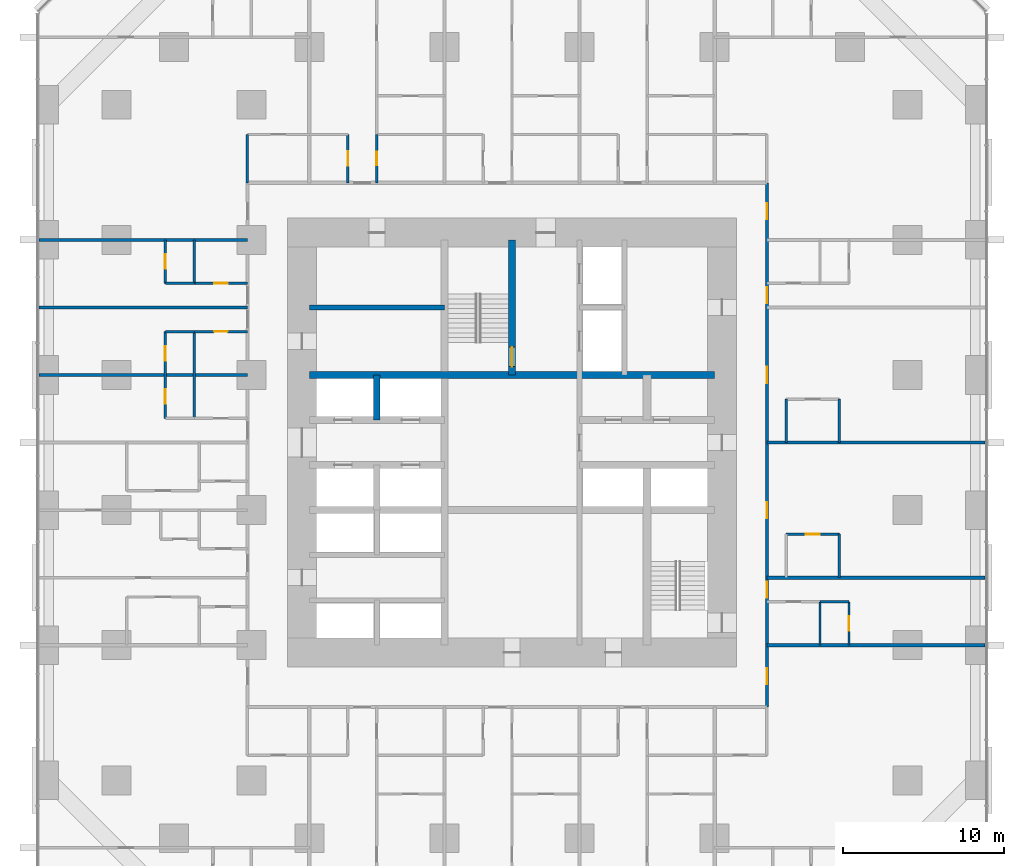
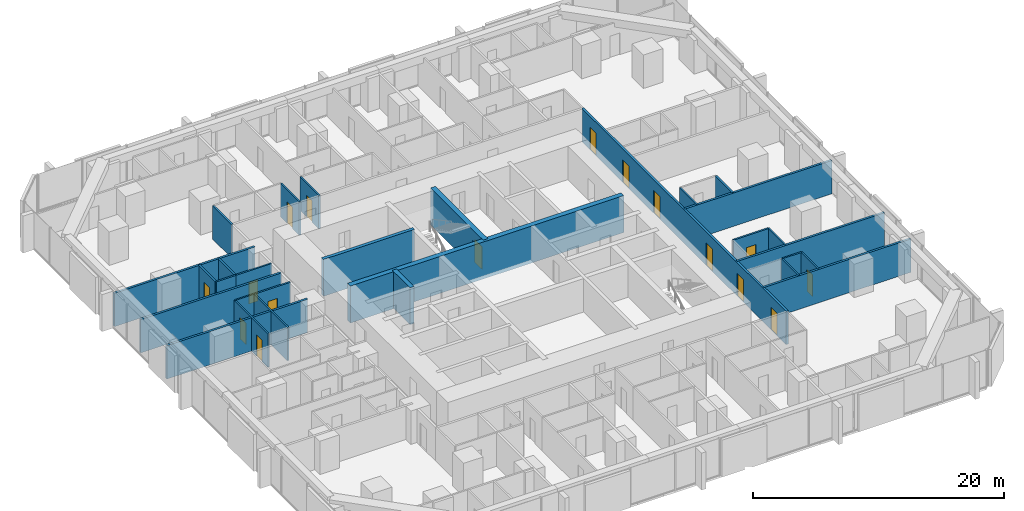
# One storey, part 14 of 17: 29 walls, 16 doors, 16 openings.
"""IFC4 building model written with IfcOpenShell, lengths in metres."""

from ifc_helpers import new_model, si_unit, direction, frame, frame_2d, origin, place, context, subcontext, project, spatial, rectangle, extrude, material, layer, layer_set, type_object, element, fill, save


model = new_model("IFC4")

# Units and contexts
model_context = context("Model", 3, precision=1e-05, world=origin(), true_north=direction((0.0, 1.0)))
body_context = subcontext(model_context, "Body", "Model", "MODEL_VIEW")
ifc_project = project(units=[si_unit("LENGTHUNIT", "METRE"), si_unit("AREAUNIT", "SQUARE_METRE"), si_unit("VOLUMEUNIT", "CUBIC_METRE"), si_unit("PLANEANGLEUNIT", "RADIAN"), si_unit("MASSUNIT", "GRAM", prefix="KILO")], contexts=[model_context])

# Site, building, storey
site_placement = place(None, origin())
site = spatial("IfcSite", under=ifc_project, at=site_placement, CompositionType="ELEMENT")
building_placement = place(site_placement, origin())
building = spatial("IfcBuilding", under=site, at=building_placement, Name="Dunama Terrace Hotel", CompositionType="ELEMENT")
storey_placement = place(building_placement, frame((0.0, 0.0, 48.60009765625)))
storey = spatial("IfcBuildingStorey", under=building, at=storey_placement, Name="L11", CompositionType="ELEMENT", Elevation=48.60009765625)

# Wall
ifc_material_1 = material(Name="Gypsum board partition", Category="masonry")
ifc_layer_1 = layer(ifc_material_1, 0.14990234375)
ifc_layer_set_1 = layer_set([ifc_layer_1], Name="Bathroom partition 150")
wall_type_1 = type_object("IfcWallType", Name="Bathroom partition 150", PredefinedType="PARTITIONING", material=ifc_layer_set_1)
wall_1_placement = place(storey_placement, frame((12.949951171875, 45.550048828125, 0.0), z_axis=(0.0, 0.0, 1.0), x_axis=(0.0, 1.0, 0.0)))
element("IfcWall", 1, at=wall_1_placement, inside=storey, type_object=wall_type_1, Name="Bathroom partition 150 L11", PredefinedType="PARTITIONING", context=body_context, shape_type="SweptSolid", body=[
    extrude(rectangle(XDim=3.0, YDim=0.14990234375, at=frame_2d((1.5, 0.0))), origin(), (0.0, 0.0, 1.0), 3.25),
])

# Wall, opening, door
wall_2_placement = place(storey_placement, frame((21.0, 45.550048828125, 0.0), z_axis=(0.0, 0.0, 1.0), x_axis=(0.0, 1.0, 0.0)))
wall_2 = element("IfcWall", 2, at=wall_2_placement, inside=storey, type_object=wall_type_1, Name="Bathroom partition 150 L11", PredefinedType="PARTITIONING", context=body_context, shape_type="SweptSolid", body=[
    extrude(rectangle(XDim=3.0, YDim=0.14990234375, at=frame_2d((1.5, 0.0))), origin(), (0.0, 0.0, 1.0), 3.25),
])
opening_1_placement = place(wall_2_placement, frame((1.074951171875, 0.0, 0.0)))
opening_1 = element("IfcOpeningElement", 3, at=opening_1_placement, cuts=wall_2, Name="Opening L10-11-036", PredefinedType="OPENING", context=body_context, shape_type="SweptSolid", body=[
    extrude(rectangle(XDim=0.85009765625, YDim=2.10009765625, at=frame_2d((0.425048828125, 1.050048828125))), frame((0.0, 0.0849609375, 0.0), z_axis=(0.0, -1.0, 0.0), x_axis=(1.0, 0.0, 0.0)), (0.0, 0.0, 1.0), 0.169921875),
])
ifc_material_2 = material(Name="Timber door with steel frame", Category="steel")
door_type_1 = type_object("IfcDoorType", Name="Bathroom door 850", OperationType="SINGLE_SWING_LEFT", PredefinedType="DOOR", material=ifc_material_2)
door_1_placement = place(opening_1_placement, frame((0.85009765625, 0.0, 0.0), z_axis=(0.0, 0.0, 1.0), x_axis=(-1.0, 0.0, 0.0)))
door_1 = element("IfcDoor", 4, at=door_1_placement, inside=storey, type_object=door_type_1, Name="Door to residence bathroom L10-11-036, type D2", OperationType="SINGLE_SWING_RIGHT", OverallHeight=2.10009765625, OverallWidth=0.85009765625, PredefinedType="DOOR", context=body_context, shape_type="SweptSolid", body=[
    extrude(rectangle(XDim=0.85009765625, YDim=2.10009765625, at=frame_2d((0.425048828125, 1.050048828125))), frame((0.0, 0.025146484375, 0.0), z_axis=(0.0, -1.0, 0.0), x_axis=(1.0, 0.0, 0.0)), (0.0, 0.0, 1.0), 0.050048828125),
])
fill(opening_1, door_1)

# Walls
wall_3_placement = place(storey_placement, frame((46.449951171875, 29.39990234375, 0.0), z_axis=(0.0, 0.0, 1.0), x_axis=(0.0, 1.0, 0.0)))
element("IfcWall", 5, at=wall_3_placement, inside=storey, type_object=wall_type_1, Name="Bathroom partition 150 L11", PredefinedType="PARTITIONING", context=body_context, shape_type="SweptSolid", body=[
    extrude(rectangle(XDim=2.7001953125, YDim=0.14990234375, at=frame_2d((1.35009765625, 0.0))), origin(), (0.0, 0.0, 1.0), 3.25),
])
wall_4_placement = place(storey_placement, frame((49.75, 21.0, 0.0), z_axis=(0.0, 0.0, 1.0), x_axis=(0.0, 1.0, 0.0)))
element("IfcWall", 6, at=wall_4_placement, inside=storey, type_object=wall_type_1, Name="Bathroom partition 150 L11", PredefinedType="PARTITIONING", context=body_context, shape_type="SweptSolid", body=[
    extrude(rectangle(XDim=2.699951171875, YDim=0.14990234375, at=frame_2d((1.35009765625, 0.0))), origin(), (0.0, 0.0, 1.0), 3.25),
])
wall_5_placement = place(storey_placement, frame((49.75, 29.39990234375, 0.0), z_axis=(0.0, 0.0, 1.0), x_axis=(0.0, 1.0, 0.0)))
element("IfcWall", 7, at=wall_5_placement, inside=storey, type_object=wall_type_1, Name="Bathroom partition 150 L11", PredefinedType="PARTITIONING", context=body_context, shape_type="SweptSolid", body=[
    extrude(rectangle(XDim=2.7001953125, YDim=0.14990234375, at=frame_2d((1.35009765625, 0.0))), origin(), (0.0, 0.0, 1.0), 3.25),
])

# Wall, opening, door
wall_6_placement = place(storey_placement, frame((46.449951171875, 23.699951171875, 0.0), z_axis=(0.0, 0.0, 1.0), x_axis=(1.0, 0.0, 0.0)))
wall_6 = element("IfcWall", 8, at=wall_6_placement, inside=storey, type_object=wall_type_1, Name="Bathroom partition 150 L11", PredefinedType="PARTITIONING", context=body_context, shape_type="SweptSolid", body=[
    extrude(rectangle(XDim=3.300048828125, YDim=0.14990234375, at=frame_2d((1.64990234375, 0.0))), origin(), (0.0, 0.0, 1.0), 3.25),
])
opening_2_placement = place(wall_6_placement, frame((1.22509765625, 0.0, 0.0)))
opening_2 = element("IfcOpeningElement", 9, at=opening_2_placement, cuts=wall_6, Name="Opening L10-11-028", PredefinedType="OPENING", context=body_context, shape_type="SweptSolid", body=[
    extrude(rectangle(XDim=0.85009765625, YDim=2.10009765625, at=frame_2d((0.425048828125, 1.050048828125))), frame((0.0, 0.0849609375, 0.0), z_axis=(0.0, -1.0, 0.0), x_axis=(1.0, 0.0, 0.0)), (0.0, 0.0, 1.0), 0.169921875),
])
door_2_placement = place(opening_2_placement, frame((0.85009765625, 0.0, 0.0), z_axis=(0.0, 0.0, 1.0), x_axis=(-1.0, 0.0, 0.0)))
door_2 = element("IfcDoor", 10, at=door_2_placement, inside=storey, type_object=door_type_1, Name="Door to en-suite bathroom L10-11-028, type D2", OperationType="SINGLE_SWING_LEFT", OverallHeight=2.10009765625, OverallWidth=0.85009765625, PredefinedType="DOOR", context=body_context, shape_type="SweptSolid", body=[
    extrude(rectangle(XDim=0.85009765625, YDim=2.10009765625, at=frame_2d((0.425048828125, 1.050048828125))), frame((0.0, 0.025146484375, 0.0), z_axis=(0.0, -1.0, 0.0), x_axis=(1.0, 0.0, 0.0)), (0.0, 0.0, 1.0), 0.050048828125),
])
fill(opening_2, door_2)

wall_7_placement = place(storey_placement, frame((9.64990234375, 36.300048828125, 0.0), z_axis=(0.0, 0.0, 1.0), x_axis=(1.0, 0.0, 0.0)))
wall_7 = element("IfcWall", 11, at=wall_7_placement, inside=storey, type_object=wall_type_1, Name="Bathroom partition 150 L11", PredefinedType="PARTITIONING", context=body_context, shape_type="SweptSolid", body=[
    extrude(rectangle(XDim=3.300048828125, YDim=0.14990234375, at=frame_2d((1.64990234375, 0.0))), origin(), (0.0, 0.0, 1.0), 3.25),
])
opening_3_placement = place(wall_7_placement, frame((1.22509765625, 0.0, 0.0)))
opening_3 = element("IfcOpeningElement", 12, at=opening_3_placement, cuts=wall_7, Name="Opening L10-11-062", PredefinedType="OPENING", context=body_context, shape_type="SweptSolid", body=[
    extrude(rectangle(XDim=0.85009765625, YDim=2.10009765625, at=frame_2d((0.425048828125, 1.050048828125))), frame((0.0, 0.0849609375, 0.0), z_axis=(0.0, -1.0, 0.0), x_axis=(1.0, 0.0, 0.0)), (0.0, 0.0, 1.0), 0.169921875),
])
door_3_placement = place(opening_3_placement, frame((0.85009765625, 0.0, 0.0), z_axis=(0.0, 0.0, 1.0), x_axis=(-1.0, 0.0, 0.0)))
door_3 = element("IfcDoor", 13, at=door_3_placement, inside=storey, type_object=door_type_1, Name="Door to en-suite bathroom L10-11-062, type D2", OperationType="SINGLE_SWING_LEFT", OverallHeight=2.10009765625, OverallWidth=0.85009765625, PredefinedType="DOOR", context=body_context, shape_type="SweptSolid", body=[
    extrude(rectangle(XDim=0.85009765625, YDim=2.10009765625, at=frame_2d((0.425048828125, 1.050048828125))), frame((0.0, 0.025146484375, 0.0), z_axis=(0.0, -1.0, 0.0), x_axis=(1.0, 0.0, 0.0)), (0.0, 0.0, 1.0), 0.050048828125),
])
fill(opening_3, door_3)

wall_8_placement = place(storey_placement, frame((9.64990234375, 39.300048828125, 0.0), z_axis=(0.0, 0.0, 1.0), x_axis=(1.0, 0.0, 0.0)))
wall_8 = element("IfcWall", 14, at=wall_8_placement, inside=storey, type_object=wall_type_1, Name="Bathroom partition 150 L11", PredefinedType="PARTITIONING", context=body_context, shape_type="SweptSolid", body=[
    extrude(rectangle(XDim=3.300048828125, YDim=0.14990234375, at=frame_2d((1.64990234375, 0.0))), origin(), (0.0, 0.0, 1.0), 3.25),
])
opening_4_placement = place(wall_8_placement, frame((1.22509765625, 0.0, 0.0)))
opening_4 = element("IfcOpeningElement", 15, at=opening_4_placement, cuts=wall_8, Name="Opening L10-11-065", PredefinedType="OPENING", context=body_context, shape_type="SweptSolid", body=[
    extrude(rectangle(XDim=0.85009765625, YDim=2.10009765625, at=frame_2d((0.425048828125, 1.050048828125))), frame((0.0, 0.0849609375, 0.0), z_axis=(0.0, -1.0, 0.0), x_axis=(1.0, 0.0, 0.0)), (0.0, 0.0, 1.0), 0.169921875),
])
door_4_placement = place(opening_4_placement, origin())
door_4 = element("IfcDoor", 16, at=door_4_placement, inside=storey, type_object=door_type_1, Name="Door to en-suite bathroom L10-11-065, type D2", OperationType="SINGLE_SWING_RIGHT", OverallHeight=2.10009765625, OverallWidth=0.85009765625, PredefinedType="DOOR", context=body_context, shape_type="SweptSolid", body=[
    extrude(rectangle(XDim=0.85009765625, YDim=2.10009765625, at=frame_2d((0.425048828125, 1.050048828125))), frame((0.0, 0.02490234375, 0.0), z_axis=(0.0, -1.0, 0.0), x_axis=(1.0, 0.0, 0.0)), (0.0, 0.0, 1.0), 0.050048828125),
])
fill(opening_4, door_4)

# Walls
ifc_material_3 = material(Name="Concrete C50/60", Category="concrete")
ifc_layer_2 = layer(ifc_material_3, 0.300048828125)
ifc_layer_set_2 = layer_set([ifc_layer_2], Name="Core inner wall 300")
wall_type_2 = type_object("IfcWallType", Name="Core inner wall 300", PredefinedType="SHEAR", material=ifc_layer_set_2)
wall_9_placement = place(storey_placement, frame((16.800048828125, 37.800048828125, -0.35009765625), z_axis=(0.0, 0.0, 1.0), x_axis=(1.0, 0.0, 0.0)))
element("IfcWall", 17, at=wall_9_placement, inside=storey, type_object=wall_type_2, Name="Core inner wall 300 L11", PredefinedType="SHEAR", context=body_context, shape_type="SweptSolid", body=[
    extrude(rectangle(XDim=8.39990234375, YDim=0.300048828125, at=frame_2d((4.199951171875, 0.0))), origin(), (0.0, 0.0, 1.0), 3.60009765625),
])
ifc_material_4 = material(Name="Concrete C50/60", Category="concrete")
ifc_layer_3 = layer(ifc_material_4, 0.39990234375)
ifc_layer_set_3 = layer_set([ifc_layer_3], Name="Core inner wall 400")
wall_type_3 = type_object("IfcWallType", Name="Core inner wall 400", PredefinedType="SHEAR", material=ifc_layer_set_3)
wall_10_placement = place(storey_placement, frame((21.0, 30.800048828125, -0.35009765625), z_axis=(0.0, 0.0, 1.0), x_axis=(0.0, 1.0, 0.0)))
element("IfcWall", 18, at=wall_10_placement, inside=storey, type_object=wall_type_3, Name="Core inner wall 400 L11", PredefinedType="SHEAR", context=body_context, shape_type="SweptSolid", body=[
    extrude(rectangle(XDim=2.800048828125, YDim=0.39990234375, at=frame_2d((1.39990234375, 0.0))), origin(), (0.0, 0.0, 1.0), 3.60009765625),
])

# Wall, opening, door
ifc_material_5 = material(Name="Concrete C50/60", Category="concrete")
ifc_layer_4 = layer(ifc_material_5, 0.449951171875)
ifc_layer_set_4 = layer_set([ifc_layer_4], Name="Core inner wall 450")
wall_type_4 = type_object("IfcWallType", Name="Core inner wall 450", PredefinedType="SHEAR", material=ifc_layer_set_4)
wall_11_placement = place(storey_placement, frame((29.39990234375, 33.60009765625, -0.35009765625), z_axis=(0.0, 0.0, 1.0), x_axis=(0.0, 1.0, 0.0)))
wall_11 = element("IfcWall", 19, at=wall_11_placement, inside=storey, type_object=wall_type_4, Name="Core inner wall 450 L11", PredefinedType="SHEAR", context=body_context, shape_type="SweptSolid", body=[
    extrude(rectangle(XDim=8.39990234375, YDim=0.449951171875, at=frame_2d((4.199951171875, 0.0))), origin(), (0.0, 0.0, 1.0), 3.60009765625),
])
opening_5_placement = place(wall_11_placement, frame((0.52490234375, 0.0, 0.35009765625)))
opening_5 = element("IfcOpeningElement", 20, at=opening_5_placement, cuts=wall_11, Name="Opening L10-11-001", PredefinedType="OPENING", context=body_context, shape_type="SweptSolid", body=[
    extrude(rectangle(XDim=1.199951171875, YDim=2.199951171875, at=frame_2d((0.60009765625, 1.10009765625))), frame((0.0, 0.23486328125, 0.0), z_axis=(0.0, -1.0, 0.0), x_axis=(1.0, 0.0, 0.0)), (0.0, 0.0, 1.0), 0.469970703125),
])
ifc_material_6 = material(Name="Timber door with steel frame", Category="steel")
door_type_2 = type_object("IfcDoorType", Name="Stair door 1200", OperationType="SINGLE_SWING_LEFT", PredefinedType="DOOR", material=ifc_material_6)
door_5_placement = place(opening_5_placement, origin())
door_5 = element("IfcDoor", 21, at=door_5_placement, inside=storey, type_object=door_type_2, Name="Stair door ST1 L10-11-001, type D5", OperationType="SINGLE_SWING_LEFT", OverallHeight=2.199951171875, OverallWidth=1.199951171875, PredefinedType="DOOR", context=body_context, shape_type="SweptSolid", body=[
    extrude(rectangle(XDim=1.199951171875, YDim=2.199951171875, at=frame_2d((0.60009765625, 1.10009765625))), frame((0.0, 0.02490234375, 0.0), z_axis=(0.0, -1.0, 0.0), x_axis=(1.0, 0.0, 0.0)), (0.0, 0.0, 1.0), 0.050048828125),
])
fill(opening_5, door_5)

# Wall
wall_12_placement = place(storey_placement, frame((16.800048828125, 33.60009765625, -0.35009765625), z_axis=(0.0, 0.0, 1.0), x_axis=(1.0, 0.0, 0.0)))
element("IfcWall", 22, at=wall_12_placement, inside=storey, type_object=wall_type_4, Name="Core inner wall 450 L11", PredefinedType="SHEAR", context=body_context, shape_type="SweptSolid", body=[
    extrude(rectangle(XDim=25.199951171875, YDim=0.449951171875, at=frame_2d((12.60009765625, 0.0))), origin(), (0.0, 0.0, 1.0), 3.60009765625),
])

# Wall, openings, doors
ifc_material_7 = material(Name="Concrete blockwork", Category="masonry")
ifc_layer_5 = layer(ifc_material_7, 0.199951171875)
ifc_layer_set_5 = layer_set([ifc_layer_5], Name="Corridor partition 200")
wall_type_5 = type_object("IfcWallType", Name="Corridor partition 200", PredefinedType="PARTITIONING", material=ifc_layer_set_5)
wall_13_placement = place(storey_placement, frame((45.25, 45.550048828125, 0.0), z_axis=(0.0, 0.0, 1.0), x_axis=(0.0, -1.0, 0.0)))
wall_13 = element("IfcWall", 23, at=wall_13_placement, inside=storey, type_object=wall_type_5, Name="Corridor partition 200 L11", PredefinedType="PARTITIONING", context=body_context, shape_type="SweptSolid", body=[
    extrude(rectangle(XDim=32.60009765625, YDim=0.199951171875, at=frame_2d((16.300048828125, 0.0))), origin(), (0.0, 0.0, 1.0), 3.25),
])
opening_6_placement = place(wall_13_placement, frame((24.800048828125, 0.0, 0.0)))
opening_6 = element("IfcOpeningElement", 24, at=opening_6_placement, cuts=wall_13, Name="Opening L10-11-024", PredefinedType="OPENING", context=body_context, shape_type="SweptSolid", body=[
    extrude(rectangle(XDim=1.0, YDim=2.199951171875, at=frame_2d((0.5, 1.10009765625))), frame((0.0, 0.10986328125, 0.0), z_axis=(0.0, -1.0, 0.0), x_axis=(1.0, 0.0, 0.0)), (0.0, 0.0, 1.0), 0.219970703125),
])
opening_7_placement = place(wall_13_placement, frame((19.85009765625, 0.0, 0.0)))
opening_7 = element("IfcOpeningElement", 25, at=opening_7_placement, cuts=wall_13, Name="Opening L10-11-027", PredefinedType="OPENING", context=body_context, shape_type="SweptSolid", body=[
    extrude(rectangle(XDim=1.0, YDim=2.199951171875, at=frame_2d((0.5, 1.10009765625))), frame((0.0, 0.10986328125, 0.0), z_axis=(0.0, -1.0, 0.0), x_axis=(1.0, 0.0, 0.0)), (0.0, 0.0, 1.0), 0.219970703125),
])
opening_8_placement = place(wall_13_placement, frame((11.449951171875, 0.0, 0.0)))
opening_8 = element("IfcOpeningElement", 26, at=opening_8_placement, cuts=wall_13, Name="Opening L10-11-029", PredefinedType="OPENING", context=body_context, shape_type="SweptSolid", body=[
    extrude(rectangle(XDim=1.0, YDim=2.199951171875, at=frame_2d((0.5, 1.10009765625))), frame((0.0, 0.10986328125, 0.0), z_axis=(0.0, -1.0, 0.0), x_axis=(1.0, 0.0, 0.0)), (0.0, 0.0, 1.0), 0.219970703125),
])
opening_9_placement = place(wall_13_placement, frame((6.5, 0.0, 0.0)))
opening_9 = element("IfcOpeningElement", 27, at=opening_9_placement, cuts=wall_13, Name="Opening L10-11-031", PredefinedType="OPENING", context=body_context, shape_type="SweptSolid", body=[
    extrude(rectangle(XDim=1.0, YDim=2.199951171875, at=frame_2d((0.5, 1.10009765625))), frame((0.0, 0.10986328125, 0.0), z_axis=(0.0, -1.0, 0.0), x_axis=(1.0, 0.0, 0.0)), (0.0, 0.0, 1.0), 0.219970703125),
])
opening_10_placement = place(wall_13_placement, frame((30.175048828125, 0.0, 0.0)))
opening_10 = element("IfcOpeningElement", 28, at=opening_10_placement, cuts=wall_13, Name="Opening L10-11-072", PredefinedType="OPENING", context=body_context, shape_type="SweptSolid", body=[
    extrude(rectangle(XDim=1.0, YDim=2.199951171875, at=frame_2d((0.5, 1.10009765625))), frame((0.0, 0.10986328125, 0.0), z_axis=(0.0, -1.0, 0.0), x_axis=(1.0, 0.0, 0.0)), (0.0, 0.0, 1.0), 0.219970703125),
])
opening_11_placement = place(wall_13_placement, frame((1.27490234375, 0.0, 0.0)))
opening_11 = element("IfcOpeningElement", 29, at=opening_11_placement, cuts=wall_13, Name="Opening L10-11-077", PredefinedType="OPENING", context=body_context, shape_type="SweptSolid", body=[
    extrude(rectangle(XDim=1.0, YDim=2.199951171875, at=frame_2d((0.5, 1.10009765625))), frame((0.0, 0.10986328125, 0.0), z_axis=(0.0, -1.0, 0.0), x_axis=(1.0, 0.0, 0.0)), (0.0, 0.0, 1.0), 0.219970703125),
])
ifc_material_8 = material(Name="Timber door with steel frame", Category="steel")
door_type_3 = type_object("IfcDoorType", Name="Guest room door 1000", OperationType="SINGLE_SWING_LEFT", PredefinedType="DOOR", material=ifc_material_8)
door_6_placement = place(opening_6_placement, origin())
door_6 = element("IfcDoor", 30, at=door_6_placement, inside=storey, type_object=door_type_3, Name="Door to deluxe room L10-11-024, type D1", OperationType="SINGLE_SWING_LEFT", OverallHeight=2.199951171875, OverallWidth=1.0, PredefinedType="DOOR", context=body_context, shape_type="SweptSolid", body=[
    extrude(rectangle(XDim=1.0, YDim=2.199951171875, at=frame_2d((0.5, 1.10009765625))), frame((0.0, 0.02490234375, 0.0), z_axis=(0.0, -1.0, 0.0), x_axis=(1.0, 0.0, 0.0)), (0.0, 0.0, 1.0), 0.050048828125),
])
fill(opening_6, door_6)
door_7_placement = place(opening_7_placement, origin())
door_7 = element("IfcDoor", 31, at=door_7_placement, inside=storey, type_object=door_type_3, Name="Door to junior suite L10-11-027, type D1", OperationType="SINGLE_SWING_RIGHT", OverallHeight=2.199951171875, OverallWidth=1.0, PredefinedType="DOOR", context=body_context, shape_type="SweptSolid", body=[
    extrude(rectangle(XDim=1.0, YDim=2.199951171875, at=frame_2d((0.5, 1.10009765625))), frame((0.0, 0.02490234375, 0.0), z_axis=(0.0, -1.0, 0.0), x_axis=(1.0, 0.0, 0.0)), (0.0, 0.0, 1.0), 0.050048828125),
])
fill(opening_7, door_7)
door_8_placement = place(opening_8_placement, origin())
door_8 = element("IfcDoor", 32, at=door_8_placement, inside=storey, type_object=door_type_3, Name="Door to junior suite L10-11-029, type D1", OperationType="SINGLE_SWING_RIGHT", OverallHeight=2.199951171875, OverallWidth=1.0, PredefinedType="DOOR", context=body_context, shape_type="SweptSolid", body=[
    extrude(rectangle(XDim=1.0, YDim=2.199951171875, at=frame_2d((0.5, 1.10009765625))), frame((0.0, 0.02490234375, 0.0), z_axis=(0.0, -1.0, 0.0), x_axis=(1.0, 0.0, 0.0)), (0.0, 0.0, 1.0), 0.050048828125),
])
fill(opening_8, door_8)
door_9_placement = place(opening_9_placement, origin())
door_9 = element("IfcDoor", 33, at=door_9_placement, inside=storey, type_object=door_type_3, Name="Door to deluxe room L10-11-031, type D1", OperationType="SINGLE_SWING_RIGHT", OverallHeight=2.199951171875, OverallWidth=1.0, PredefinedType="DOOR", context=body_context, shape_type="SweptSolid", body=[
    extrude(rectangle(XDim=1.0, YDim=2.199951171875, at=frame_2d((0.5, 1.10009765625))), frame((0.0, 0.02490234375, 0.0), z_axis=(0.0, -1.0, 0.0), x_axis=(1.0, 0.0, 0.0)), (0.0, 0.0, 1.0), 0.050048828125),
])
fill(opening_9, door_9)
door_10_placement = place(opening_10_placement, origin())
door_10 = element("IfcDoor", 34, at=door_10_placement, inside=storey, type_object=door_type_3, Name="Door to corner suite living room L10-11-072, type D1", OperationType="SINGLE_SWING_RIGHT", OverallHeight=2.199951171875, OverallWidth=1.0, PredefinedType="DOOR", context=body_context, shape_type="SweptSolid", body=[
    extrude(rectangle(XDim=1.0, YDim=2.199951171875, at=frame_2d((0.5, 1.10009765625))), frame((0.0, 0.02490234375, 0.0), z_axis=(0.0, -1.0, 0.0), x_axis=(1.0, 0.0, 0.0)), (0.0, 0.0, 1.0), 0.050048828125),
])
fill(opening_10, door_10)
door_11_placement = place(opening_11_placement, origin())
door_11 = element("IfcDoor", 35, at=door_11_placement, inside=storey, type_object=door_type_3, Name="Door to corner suite living room L10-11-077, type D1", OperationType="SINGLE_SWING_LEFT", OverallHeight=2.199951171875, OverallWidth=1.0, PredefinedType="DOOR", context=body_context, shape_type="SweptSolid", body=[
    extrude(rectangle(XDim=1.0, YDim=2.199951171875, at=frame_2d((0.5, 1.10009765625))), frame((0.0, 0.02490234375, 0.0), z_axis=(0.0, -1.0, 0.0), x_axis=(1.0, 0.0, 0.0)), (0.0, 0.0, 1.0), 0.050048828125),
])
fill(opening_11, door_11)

# Walls
ifc_material_9 = material(Name="Concrete blockwork", Category="masonry")
ifc_layer_6 = layer(ifc_material_9, 0.199951171875)
ifc_layer_set_6 = layer_set([ifc_layer_6], Name="Party wall 200")
wall_type_6 = type_object("IfcWallType", Name="Party wall 200", PredefinedType="PARTITIONING", material=ifc_layer_set_6)
for number, where, z_axis, x_axis, name in (
    (36, (45.25, 16.800048828125, 0.0), (0.0, 0.0, 1.0), (1.0, 0.0, 0.0), "Party wall 200 L11"),
    (37, (45.25, 21.0, 0.0), (0.0, 0.0, 1.0), (1.0, 0.0, 0.0), "Party wall 200 L11"),
    (38, (45.25, 29.39990234375, 0.0), (0.0, 0.0, 1.0), (1.0, 0.0, 0.0), "Party wall 200 L11"),
):
    element("IfcWall", number, at=place(storey_placement, frame(where, z_axis=z_axis, x_axis=x_axis)), inside=storey, type_object=wall_type_6, Name=name, PredefinedType="PARTITIONING", context=body_context, shape_type="SweptSolid", body=[
        extrude(rectangle(XDim=13.55810546875, YDim=0.199951171875, at=frame_2d((6.779052734375, 0.0))), origin(), (0.0, 0.0, 1.0), 3.25),
    ])
for number, where, z_axis, x_axis, name in (
    (39, (-0.008056640625, 33.60009765625, 0.0), (0.0, 0.0, 1.0), (1.0, 0.0, 0.0), "Party wall 200 L11"),
    (40, (-0.008056640625, 37.800048828125, 0.0), (0.0, 0.0, 1.0), (1.0, 0.0, 0.0), "Party wall 200 L11"),
    (41, (-0.008056640625, 42.0, 0.0), (0.0, 0.0, 1.0), (1.0, 0.0, 0.0), "Party wall 200 L11"),
):
    element("IfcWall", number, at=place(storey_placement, frame(where, z_axis=z_axis, x_axis=x_axis)), inside=storey, type_object=wall_type_6, Name=name, PredefinedType="PARTITIONING", context=body_context, shape_type="SweptSolid", body=[
        extrude(rectangle(XDim=12.9580078125, YDim=0.199951171875, at=frame_2d((6.47900390625, 0.0))), origin(), (0.0, 0.0, 1.0), 3.25),
    ])

# Wall, openings, doors
ifc_material_10 = material(Name="Gypsum board partition", Category="masonry")
ifc_layer_7 = layer(ifc_material_10, 0.14990234375)
ifc_layer_set_7 = layer_set([ifc_layer_7], Name="Room partition 150")
wall_type_7 = type_object("IfcWallType", Name="Room partition 150", PredefinedType="PARTITIONING", material=ifc_layer_set_7)
wall_14_placement = place(storey_placement, frame((7.85009765625, 30.89990234375, 0.0), z_axis=(0.0, 0.0, 1.0), x_axis=(0.0, 1.0, 0.0)))
wall_14 = element("IfcWall", 42, at=wall_14_placement, inside=storey, type_object=wall_type_7, Name="Room partition 150 L11", PredefinedType="PARTITIONING", context=body_context, shape_type="SweptSolid", body=[
    extrude(rectangle(XDim=5.400146484375, YDim=0.14990234375, at=frame_2d((2.7001953125, 0.0))), origin(), (0.0, 0.0, 1.0), 3.25),
])
opening_12_placement = place(wall_14_placement, frame((0.89990234375, 0.0, 0.0)))
opening_12 = element("IfcOpeningElement", 43, at=opening_12_placement, cuts=wall_14, Name="Opening L10-11-060", PredefinedType="OPENING", context=body_context, shape_type="SweptSolid", body=[
    extrude(rectangle(XDim=0.89990234375, YDim=2.10009765625, at=frame_2d((0.449951171875, 1.050048828125))), frame((0.0, 0.0849609375, 0.0), z_axis=(0.0, -1.0, 0.0), x_axis=(1.0, 0.0, 0.0)), (0.0, 0.0, 1.0), 0.169921875),
])
opening_13_placement = place(wall_14_placement, frame((3.60009765625, 0.0, 0.0)))
opening_13 = element("IfcOpeningElement", 44, at=opening_13_placement, cuts=wall_14, Name="Opening L10-11-063", PredefinedType="OPENING", context=body_context, shape_type="SweptSolid", body=[
    extrude(rectangle(XDim=0.89990234375, YDim=2.10009765625, at=frame_2d((0.449951171875, 1.050048828125))), frame((0.0, 0.0849609375, 0.0), z_axis=(0.0, -1.0, 0.0), x_axis=(1.0, 0.0, 0.0)), (0.0, 0.0, 1.0), 0.169921875),
])
ifc_material_11 = material(Name="Timber door with steel frame", Category="steel")
door_type_4 = type_object("IfcDoorType", Name="Suite internal door 900", OperationType="SINGLE_SWING_LEFT", PredefinedType="DOOR", material=ifc_material_11)
door_12_placement = place(opening_12_placement, frame((0.89990234375, 0.0, 0.0), z_axis=(0.0, 0.0, 1.0), x_axis=(-1.0, 0.0, 0.0)))
door_12 = element("IfcDoor", 45, at=door_12_placement, inside=storey, type_object=door_type_4, Name="Door to walk-in wardrobe L10-11-060, type D16", OperationType="SINGLE_SWING_LEFT", OverallHeight=2.10009765625, OverallWidth=0.89990234375, PredefinedType="DOOR", context=body_context, shape_type="SweptSolid", body=[
    extrude(rectangle(XDim=0.89990234375, YDim=2.10009765625, at=frame_2d((0.449951171875, 1.050048828125))), frame((0.0, 0.025146484375, 0.0), z_axis=(0.0, -1.0, 0.0), x_axis=(1.0, 0.0, 0.0)), (0.0, 0.0, 1.0), 0.050048828125),
])
fill(opening_12, door_12)
door_13_placement = place(opening_13_placement, frame((0.89990234375, 0.0, 0.0), z_axis=(0.0, 0.0, 1.0), x_axis=(-1.0, 0.0, 0.0)))
door_13 = element("IfcDoor", 46, at=door_13_placement, inside=storey, type_object=door_type_4, Name="Door to walk-in wardrobe L10-11-063, type D16", OperationType="SINGLE_SWING_RIGHT", OverallHeight=2.10009765625, OverallWidth=0.89990234375, PredefinedType="DOOR", context=body_context, shape_type="SweptSolid", body=[
    extrude(rectangle(XDim=0.89990234375, YDim=2.10009765625, at=frame_2d((0.449951171875, 1.050048828125))), frame((0.0, 0.025146484375, 0.0), z_axis=(0.0, -1.0, 0.0), x_axis=(1.0, 0.0, 0.0)), (0.0, 0.0, 1.0), 0.050048828125),
])
fill(opening_13, door_13)

# Wall, opening, door
wall_15_placement = place(storey_placement, frame((7.85009765625, 39.300048828125, 0.0), z_axis=(0.0, 0.0, 1.0), x_axis=(0.0, 1.0, 0.0)))
wall_15 = element("IfcWall", 47, at=wall_15_placement, inside=storey, type_object=wall_type_7, Name="Room partition 150 L11", PredefinedType="PARTITIONING", context=body_context, shape_type="SweptSolid", body=[
    extrude(rectangle(XDim=2.699951171875, YDim=0.14990234375, at=frame_2d((1.35009765625, 0.0))), origin(), (0.0, 0.0, 1.0), 3.25),
])
opening_14_placement = place(wall_15_placement, frame((0.89990234375, 0.0, 0.0)))
opening_14 = element("IfcOpeningElement", 48, at=opening_14_placement, cuts=wall_15, Name="Opening L10-11-066", PredefinedType="OPENING", context=body_context, shape_type="SweptSolid", body=[
    extrude(rectangle(XDim=0.89990234375, YDim=2.10009765625, at=frame_2d((0.449951171875, 1.050048828125))), frame((0.0, 0.0849609375, 0.0), z_axis=(0.0, -1.0, 0.0), x_axis=(1.0, 0.0, 0.0)), (0.0, 0.0, 1.0), 0.169921875),
])
door_14_placement = place(opening_14_placement, frame((0.89990234375, 0.0, 0.0), z_axis=(0.0, 0.0, 1.0), x_axis=(-1.0, 0.0, 0.0)))
door_14 = element("IfcDoor", 49, at=door_14_placement, inside=storey, type_object=door_type_4, Name="Door to walk-in wardrobe L10-11-066, type D16", OperationType="SINGLE_SWING_LEFT", OverallHeight=2.10009765625, OverallWidth=0.89990234375, PredefinedType="DOOR", context=body_context, shape_type="SweptSolid", body=[
    extrude(rectangle(XDim=0.89990234375, YDim=2.10009765625, at=frame_2d((0.449951171875, 1.050048828125))), frame((0.0, 0.025146484375, 0.0), z_axis=(0.0, -1.0, 0.0), x_axis=(1.0, 0.0, 0.0)), (0.0, 0.0, 1.0), 0.050048828125),
])
fill(opening_14, door_14)

# Walls
wall_16_placement = place(storey_placement, frame((9.64990234375, 30.89990234375, 0.0), z_axis=(0.0, 0.0, 1.0), x_axis=(0.0, 1.0, 0.0)))
element("IfcWall", 50, at=wall_16_placement, inside=storey, type_object=wall_type_7, Name="Room partition 150 L11", PredefinedType="PARTITIONING", context=body_context, shape_type="SweptSolid", body=[
    extrude(rectangle(XDim=5.400146484375, YDim=0.14990234375, at=frame_2d((2.7001953125, 0.0))), origin(), (0.0, 0.0, 1.0), 3.25),
])
wall_17_placement = place(storey_placement, frame((9.64990234375, 39.300048828125, 0.0), z_axis=(0.0, 0.0, 1.0), x_axis=(0.0, 1.0, 0.0)))
element("IfcWall", 51, at=wall_17_placement, inside=storey, type_object=wall_type_7, Name="Room partition 150 L11", PredefinedType="PARTITIONING", context=body_context, shape_type="SweptSolid", body=[
    extrude(rectangle(XDim=2.699951171875, YDim=0.14990234375, at=frame_2d((1.35009765625, 0.0))), origin(), (0.0, 0.0, 1.0), 3.25),
])

# Wall, opening, door
wall_18_placement = place(storey_placement, frame((19.199951171875, 45.550048828125, 0.0), z_axis=(0.0, 0.0, 1.0), x_axis=(0.0, 1.0, 0.0)))
wall_18 = element("IfcWall", 52, at=wall_18_placement, inside=storey, type_object=wall_type_7, Name="Room partition 150 L11", PredefinedType="PARTITIONING", context=body_context, shape_type="SweptSolid", body=[
    extrude(rectangle(XDim=3.0, YDim=0.14990234375, at=frame_2d((1.5, 0.0))), origin(), (0.0, 0.0, 1.0), 3.25),
])
opening_15_placement = place(wall_18_placement, frame((1.050048828125, 0.0, 0.0)))
opening_15 = element("IfcOpeningElement", 53, at=opening_15_placement, cuts=wall_18, Name="Opening L10-11-035", PredefinedType="OPENING", context=body_context, shape_type="SweptSolid", body=[
    extrude(rectangle(XDim=0.89990234375, YDim=2.10009765625, at=frame_2d((0.449951171875, 1.050048828125))), frame((0.0, 0.0849609375, 0.0), z_axis=(0.0, -1.0, 0.0), x_axis=(1.0, 0.0, 0.0)), (0.0, 0.0, 1.0), 0.169921875),
])
door_15_placement = place(opening_15_placement, origin())
door_15 = element("IfcDoor", 54, at=door_15_placement, inside=storey, type_object=door_type_4, Name="Door to residence kitchen L10-11-035, type D16", OperationType="SINGLE_SWING_LEFT", OverallHeight=2.10009765625, OverallWidth=0.89990234375, PredefinedType="DOOR", context=body_context, shape_type="SweptSolid", body=[
    extrude(rectangle(XDim=0.89990234375, YDim=2.10009765625, at=frame_2d((0.449951171875, 1.050048828125))), frame((0.0, 0.02490234375, 0.0), z_axis=(0.0, -1.0, 0.0), x_axis=(1.0, 0.0, 0.0)), (0.0, 0.0, 1.0), 0.050048828125),
])
fill(opening_15, door_15)

# Wall
wall_19_placement = place(storey_placement, frame((48.550048828125, 16.800048828125, 0.0), z_axis=(0.0, 0.0, 1.0), x_axis=(0.0, 1.0, 0.0)))
element("IfcWall", 55, at=wall_19_placement, inside=storey, type_object=wall_type_7, Name="Room partition 150 L11", PredefinedType="PARTITIONING", context=body_context, shape_type="SweptSolid", body=[
    extrude(rectangle(XDim=2.699951171875, YDim=0.14990234375, at=frame_2d((1.35009765625, 0.0))), origin(), (0.0, 0.0, 1.0), 3.25),
])

# Wall, opening, door
wall_20_placement = place(storey_placement, frame((50.35009765625, 16.800048828125, 0.0), z_axis=(0.0, 0.0, 1.0), x_axis=(0.0, 1.0, 0.0)))
wall_20 = element("IfcWall", 56, at=wall_20_placement, inside=storey, type_object=wall_type_7, Name="Room partition 150 L11", PredefinedType="PARTITIONING", context=body_context, shape_type="SweptSolid", body=[
    extrude(rectangle(XDim=2.699951171875, YDim=0.14990234375, at=frame_2d((1.35009765625, 0.0))), origin(), (0.0, 0.0, 1.0), 3.25),
])
opening_16_placement = place(wall_20_placement, frame((0.89990234375, 0.0, 0.0)))
opening_16 = element("IfcOpeningElement", 57, at=opening_16_placement, cuts=wall_20, Name="Opening L10-11-026", PredefinedType="OPENING", context=body_context, shape_type="SweptSolid", body=[
    extrude(rectangle(XDim=0.89990234375, YDim=2.10009765625, at=frame_2d((0.449951171875, 1.050048828125))), frame((0.0, 0.0849609375, 0.0), z_axis=(0.0, -1.0, 0.0), x_axis=(1.0, 0.0, 0.0)), (0.0, 0.0, 1.0), 0.169921875),
])
door_16_placement = place(opening_16_placement, origin())
door_16 = element("IfcDoor", 58, at=door_16_placement, inside=storey, type_object=door_type_4, Name="Door to walk-in wardrobe L10-11-026, type D16", OperationType="SINGLE_SWING_LEFT", OverallHeight=2.10009765625, OverallWidth=0.89990234375, PredefinedType="DOOR", context=body_context, shape_type="SweptSolid", body=[
    extrude(rectangle(XDim=0.89990234375, YDim=2.10009765625, at=frame_2d((0.449951171875, 1.050048828125))), frame((0.0, 0.02490234375, 0.0), z_axis=(0.0, -1.0, 0.0), x_axis=(1.0, 0.0, 0.0)), (0.0, 0.0, 1.0), 0.050048828125),
])
fill(opening_16, door_16)

# Walls
wall_21_placement = place(storey_placement, frame((48.550048828125, 19.5, 0.0), z_axis=(0.0, 0.0, 1.0), x_axis=(1.0, 0.0, 0.0)))
element("IfcWall", 59, at=wall_21_placement, inside=storey, type_object=wall_type_7, Name="Room partition 150 L11", PredefinedType="PARTITIONING", context=body_context, shape_type="SweptSolid", body=[
    extrude(rectangle(XDim=1.800048828125, YDim=0.14990234375, at=frame_2d((0.89990234375, 0.0))), origin(), (0.0, 0.0, 1.0), 3.25),
])
for number, where, z_axis, x_axis, name in (
    (60, (7.85009765625, 36.300048828125, 0.0), (0.0, 0.0, 1.0), (1.0, 0.0, 0.0), "Room partition 150 L11"),
    (61, (7.85009765625, 39.300048828125, 0.0), (0.0, 0.0, 1.0), (1.0, 0.0, 0.0), "Room partition 150 L11"),
):
    element("IfcWall", number, at=place(storey_placement, frame(where, z_axis=z_axis, x_axis=x_axis)), inside=storey, type_object=wall_type_7, Name=name, PredefinedType="PARTITIONING", context=body_context, shape_type="SweptSolid", body=[
        extrude(rectangle(XDim=1.7998046875, YDim=0.14990234375, at=frame_2d((0.89990234375, 0.0))), origin(), (0.0, 0.0, 1.0), 3.25),
    ])

save(model, "model.ifc")
